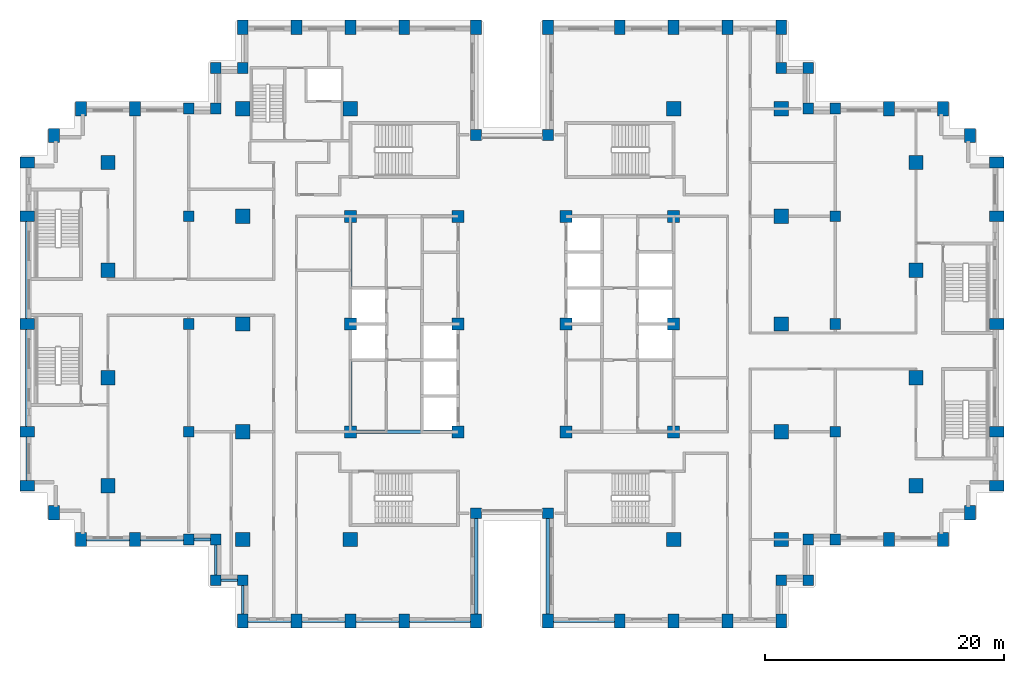
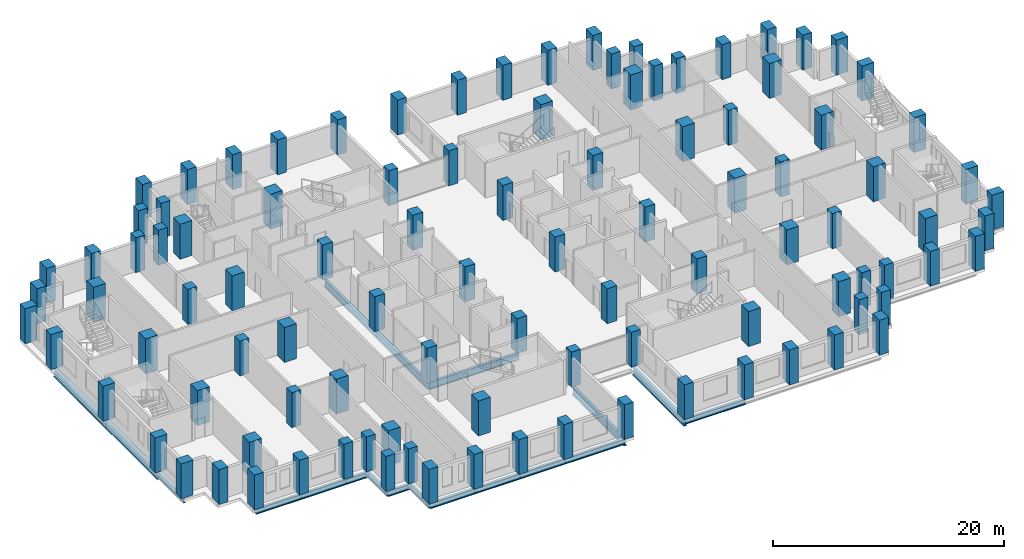
# One storey, part 1 of 15: 102 columns, 19 beams.
"""IFC4 building model written with IfcOpenShell, lengths in metres."""

import ifcopenshell
import ifcopenshell.guid

model = None  # the IFC model being written
_history = None  # IfcOwnerHistory: only IFC2X3 demands one
_inside = {}  # id of a spatial element -> (the spatial element, [elements in it])
_under = {}  # id of a project, library or spatial element -> (it, [spatial elements below it])
_declared = {}  # id of a project -> (the project, [libraries it declares])
_typed = {}  # id of a type object -> (the type object, [elements of that type])
_made_of = {}  # id of a material, layer set ... -> (it, [elements and type objects made of it])


def new_model(schema):
    """Start an empty IFC model of exactly this schema.

    Asked for "IFC4X3", IfcOpenShell would pick the latest addendum, in which some entities
    have other attributes; the version numbers below select the first issue.
    IFC2X3 requires an IfcOwnerHistory on every rooted entity: one is made here for all.
    """
    global model, _history
    if schema == "IFC4X3":
        model = ifcopenshell.file(schema_version=(4, 3, 0, 0))
    else:
        model = ifcopenshell.file(schema=schema)
    _inside.clear()
    _under.clear()
    _declared.clear()
    _typed.clear()
    _made_of.clear()
    _history = None
    if model.schema == "IFC2X3":
        org = make("IfcOrganization", Name="unknown")
        user = make(
            "IfcPersonAndOrganization",
            ThePerson=make("IfcPerson", FamilyName="unknown"),
            TheOrganization=org,
        )
        app = make(
            "IfcApplication",
            ApplicationDeveloper=org,
            Version="unknown",
            ApplicationFullName="unknown",
            ApplicationIdentifier="unknown",
        )
        _history = make(
            "IfcOwnerHistory",
            OwningUser=user,
            OwningApplication=app,
            ChangeAction="ADDED",
            CreationDate=0,
        )
    return model


def make(cls, **values):
    """One entity of the class cls with the attributes given. An attribute that is None is left unset."""
    return model.create_entity(
        cls, **{name: value for name, value in values.items() if value is not None}
    )


def rooted(cls, **values):
    """An entity with a GlobalId (a new one), such as an element, a storey or a relation."""
    return make(cls, GlobalId=ifcopenshell.guid.new(), OwnerHistory=_history, **values)


def si_unit(unit_type, name, prefix=None):
    """IfcSIUnit, for example si_unit("LENGTHUNIT", "METRE", prefix="MILLI")."""
    return make("IfcSIUnit", UnitType=unit_type, Prefix=prefix, Name=name)


def assignment(units):
    """IfcUnitAssignment: the units of a project."""
    return None if units is None else make("IfcUnitAssignment", Units=units)


def point(xyz):
    """IfcCartesianPoint."""
    return None if xyz is None else make("IfcCartesianPoint", Coordinates=xyz)


def direction(xyz):
    """IfcDirection."""
    return None if xyz is None else make("IfcDirection", DirectionRatios=xyz)


def frame(location, z_axis=None, x_axis=None):
    """IfcAxis2Placement3D, a coordinate frame: its origin and axes. An axis left out is left unset."""
    return make(
        "IfcAxis2Placement3D",
        Location=point(location),
        Axis=direction(z_axis),
        RefDirection=direction(x_axis),
    )


def frame_2d(location, x_axis=None):
    """IfcAxis2Placement2D, a coordinate frame in the plane: its origin and x axis."""
    return make(
        "IfcAxis2Placement2D", Location=point(location), RefDirection=direction(x_axis)
    )


def origin():
    """The frame at (0, 0, 0) with its axes left unset."""
    return frame((0.0, 0.0, 0.0))


def origin_2d():
    """The frame at (0, 0) in the plane with its x axis left unset."""
    return frame_2d((0.0, 0.0))


def place(relative_to, where):
    """IfcLocalPlacement: puts the frame where relative to a parent placement (None: the world)."""
    return make(
        "IfcLocalPlacement", PlacementRelTo=relative_to, RelativePlacement=where
    )


def context(
    kind, dimensions, precision=None, world=None, true_north=None, identifier=None
):
    """IfcGeometricRepresentationContext, for example the 3D "Model" context."""
    return make(
        "IfcGeometricRepresentationContext",
        ContextIdentifier=identifier,
        ContextType=kind,
        CoordinateSpaceDimension=dimensions,
        Precision=precision,
        WorldCoordinateSystem=world,
        TrueNorth=true_north,
    )


def subcontext(parent, identifier, kind, view, scale=None):
    """IfcGeometricRepresentationSubContext, for example "Body" below "Model"."""
    return make(
        "IfcGeometricRepresentationSubContext",
        ContextIdentifier=identifier,
        ContextType=kind,
        ParentContext=parent,
        TargetScale=scale,
        TargetView=view,
    )


def project(units=None, contexts=None):
    """IfcProject with its units and contexts."""
    return rooted(
        "IfcProject",
        Name="project",
        RepresentationContexts=contexts,
        UnitsInContext=assignment(units),
    )


def spatial(cls, under=None, at=None, **own):
    """A site, building, storey or space (cls), placed at a placement, below another one or the project."""
    s = rooted(cls, ObjectPlacement=at, **own)
    if under is not None:
        _under.setdefault(under.id(), (under, []))[1].append(s)
    return s


def profile(cls, at=None, kind="AREA", **sizes):
    """A parametric profile (cls). Its sizes go by their IFC names, for example OverallWidth=200.0."""
    return make(cls, ProfileType=kind, Position=at, **sizes)


def rectangle(**sizes):
    """IfcRectangleProfileDef."""
    return profile("IfcRectangleProfileDef", **sizes)


def i_section(**sizes):
    """IfcIShapeProfileDef."""
    return profile("IfcIShapeProfileDef", **sizes)


def extrude(swept, where, along, depth):
    """IfcExtrudedAreaSolid: the profile swept, set in the frame where, extruded along a direction by depth."""
    return make(
        "IfcExtrudedAreaSolid",
        SweptArea=swept,
        Position=where,
        ExtrudedDirection=direction(along),
        Depth=depth,
    )


def shape(context_of_items, identifier, shape_type, items):
    """IfcShapeRepresentation: the items that make up one representation, for example the "Body"."""
    return make(
        "IfcShapeRepresentation",
        ContextOfItems=context_of_items,
        RepresentationIdentifier=identifier,
        RepresentationType=shape_type,
        Items=items,
    )


def material(Name=None, Category=None):
    """IfcMaterial."""
    return make("IfcMaterial", Name=Name, Category=Category)


def material_profile(
    of_material, cross_section, Name=None, Category=None, Priority=None
):
    """IfcMaterialProfile: a cross section and its material."""
    return make(
        "IfcMaterialProfile",
        Name=Name,
        Material=of_material,
        Profile=cross_section,
        Priority=Priority,
        Category=Category,
    )


def profile_set(profiles, Name=None, composite=None):
    """IfcMaterialProfileSet."""
    return make(
        "IfcMaterialProfileSet",
        Name=Name,
        MaterialProfiles=profiles,
        CompositeProfile=composite,
    )


def made_of(thing, what):
    """Note that an element or type object is made of a material, layer set ...; save() writes the relation."""
    if what is not None:
        _made_of.setdefault(what.id(), (what, []))[1].append(thing)
    return thing


def type_object(cls, material=None, **own):
    """A type object (cls), such as IfcWallType, which elements share."""
    return made_of(rooted(cls, **own), material)


def element(
    cls,
    number,
    at=None,
    inside=None,
    cuts=None,
    type_object=None,
    material=None,
    context=None,
    identifier="Body",
    shape_type=None,
    held_by="IfcProductDefinitionShape",
    body=None,
    shapes=None,
    **own,
):
    """One element of the class cls, such as IfcWall. Its Tag is "e" and its number.

    at: its placement. inside: the storey or other place that contains it. cuts: it is an
    opening in that element (IfcRelVoidsElement). A single representation is given by context,
    identifier, shape_type and body (its items); several are given by shapes. held_by: the class
    of the entity that holds the representations. save() writes the other relations.
    """
    e = rooted(cls, Tag="e%d" % number, ObjectPlacement=at, **own)
    if body is not None:
        shapes = [shape(context, identifier, shape_type, body)]
    if shapes is not None:
        e.Representation = make(held_by, Representations=shapes)
    if inside is not None:
        _inside.setdefault(inside.id(), (inside, []))[1].append(e)
    if cuts is not None:
        rooted(
            "IfcRelVoidsElement", RelatingBuildingElement=cuts, RelatedOpeningElement=e
        )
    if type_object is not None:
        _typed.setdefault(type_object.id(), (type_object, []))[1].append(e)
    return made_of(e, material)


def aggregate(whole, parts):
    """IfcRelAggregates: a whole, such as a stair, and the parts it consists of."""
    return rooted("IfcRelAggregates", RelatingObject=whole, RelatedObjects=parts)


def save(model, path):
    """Write the relations noted so far, then the file.

    IfcRelAggregates (storeys below a building ...), IfcRelContainedInSpatialStructure (elements
    in a storey), IfcRelDefinesByType, IfcRelAssociatesMaterial and IfcRelDeclares: one each for
    every whole, place, type object, material and project.
    """
    for whole, parts in _under.values():
        aggregate(whole, parts)
    for where, things in _inside.values():
        rooted(
            "IfcRelContainedInSpatialStructure",
            RelatedElements=things,
            RelatingStructure=where,
        )
    for kind, things in _typed.values():
        rooted("IfcRelDefinesByType", RelatedObjects=things, RelatingType=kind)
    for what, things in _made_of.values():
        rooted("IfcRelAssociatesMaterial", RelatedObjects=things, RelatingMaterial=what)
    for by, libraries in _declared.values():
        rooted("IfcRelDeclares", RelatingContext=by, RelatedDefinitions=libraries)
    model.write(path)


model = new_model("IFC4")

# Units and contexts
model_context = context("Model", 3, precision=1e-05, world=origin(), true_north=direction((0.0, 1.0)))
body_context = subcontext(model_context, "Body", "Model", "MODEL_VIEW")
ifc_project = project(units=[si_unit("LENGTHUNIT", "METRE"), si_unit("AREAUNIT", "SQUARE_METRE"), si_unit("VOLUMEUNIT", "CUBIC_METRE"), si_unit("PLANEANGLEUNIT", "RADIAN"), si_unit("MASSUNIT", "GRAM", prefix="KILO")], contexts=[model_context])

# Site, building, storey
site_placement = place(None, origin())
site = spatial("IfcSite", under=ifc_project, at=site_placement, CompositionType="ELEMENT")
building_placement = place(site_placement, origin())
building = spatial("IfcBuilding", under=site, at=building_placement, Name="Corbelhall Arena Tower", CompositionType="ELEMENT")
storey_placement = place(building_placement, frame((0.0, 0.0, 92.0)))
storey = spatial("IfcBuildingStorey", under=building, at=storey_placement, Name="L15", CompositionType="ELEMENT", Elevation=92.0)

# Columns
ifc_material_1 = material(Name="Concrete C80/95", Category="concrete")
ifc_material_profile_1 = material_profile(ifc_material_1, rectangle(XDim=1.0, YDim=1.0, at=origin_2d()))
ifc_profile_set_1 = profile_set([ifc_material_profile_1], Name="Concrete C80/95")
column_type_1 = type_object("IfcColumnType", Name="ST-COL-RC 1000x1000", PredefinedType="COLUMN", material=ifc_profile_set_1)
for number, where, z_axis, x_axis, name in (
    (1, (4.5, 0.0, 0.0), (0.0, 0.0, 1.0), (1.0, 0.0, 0.0), "Column KE+0450+0000"),
    (2, (4.5, 9.0, 0.0), (0.0, 0.0, 1.0), (1.0, 0.0, 0.0), "Column KE+0450+0900"),
    (3, (4.5, -9.0, 0.0), (0.0, 0.0, 1.0), (1.0, 0.0, 0.0), "Column KE+0450-0900"),
    (4, (13.5, 0.0, 0.0), (0.0, 0.0, 1.0), (1.0, 0.0, 0.0), "Column KE+1350+0000"),
    (5, (13.5, 9.0, 0.0), (0.0, 0.0, 1.0), (1.0, 0.0, 0.0), "Column KE+1350+0900"),
    (6, (13.5, -9.0, 0.0), (0.0, 0.0, 1.0), (1.0, 0.0, 0.0), "Column KE+1350-0900"),
    (7, (-4.5, 0.0, 0.0), (0.0, 0.0, 1.0), (1.0, 0.0, 0.0), "Column KW-0450+0000"),
    (8, (-4.5, 9.0, 0.0), (0.0, 0.0, 1.0), (1.0, 0.0, 0.0), "Column KW-0450+0900"),
    (9, (-4.5, -9.0, 0.0), (0.0, 0.0, 1.0), (1.0, 0.0, 0.0), "Column KW-0450-0900"),
    (10, (-13.5, 0.0, 0.0), (0.0, 0.0, 1.0), (1.0, 0.0, 0.0), "Column KW-1350+0000"),
    (11, (-13.5, 9.0, 0.0), (0.0, 0.0, 1.0), (1.0, 0.0, 0.0), "Column KW-1350+0900"),
    (12, (-13.5, -9.0, 0.0), (0.0, 0.0, 1.0), (1.0, 0.0, 0.0), "Column KW-1350-0900"),
):
    element("IfcColumn", number, at=place(storey_placement, frame(where, z_axis=z_axis, x_axis=x_axis)), inside=storey, type_object=column_type_1, Name=name, PredefinedType="COLUMN", context=body_context, shape_type="SweptSolid", body=[
        extrude(rectangle(XDim=1.0, YDim=1.0, at=origin_2d()), origin(), (0.0, 0.0, 1.0), 3.699951171875),
    ])
ifc_material_profile_2 = material_profile(ifc_material_1, rectangle(XDim=1.199951171875, YDim=1.199951171875, at=origin_2d()))
ifc_profile_set_2 = profile_set([ifc_material_profile_2], Name="Concrete C80/95")
column_type_2 = type_object("IfcColumnType", Name="ST-COL-RC 1200x1200", PredefinedType="COLUMN", material=ifc_profile_set_2)
for number, where, z_axis, x_axis, name in (
    (13, (-33.75, 4.5, 0.0), (0.0, 0.0, 1.0), (1.0, 0.0, 0.0), "Column FIC+0450"),
    (14, (-33.75, 13.5, 0.0), (0.0, 0.0, 1.0), (1.0, 0.0, 0.0), "Column FIC+1350"),
    (15, (-33.75, -4.5, 0.0), (0.0, 0.0, 1.0), (1.0, 0.0, 0.0), "Column FIC-0450"),
    (16, (-33.75, -13.5, 0.0), (0.0, 0.0, 1.0), (1.0, 0.0, 0.0), "Column FIC-1350"),
    (17, (33.75, 4.5, 0.0), (0.0, 0.0, 1.0), (1.0, 0.0, 0.0), "Column FID+0450"),
    (18, (33.75, 13.5, 0.0), (0.0, 0.0, 1.0), (1.0, 0.0, 0.0), "Column FID+1350"),
    (19, (33.75, -4.5, 0.0), (0.0, 0.0, 1.0), (1.0, 0.0, 0.0), "Column FID-0450"),
    (20, (33.75, -13.5, 0.0), (0.0, 0.0, 1.0), (1.0, 0.0, 0.0), "Column FID-1350"),
    (21, (13.5, 18.0, 0.0), (0.0, 0.0, 1.0), (1.0, 0.0, 0.0), "Column IE13+1800"),
    (22, (13.5, -18.0, 0.0), (0.0, 0.0, 1.0), (1.0, 0.0, 0.0), "Column IE13-1800"),
    (23, (22.5, 0.0, 0.0), (0.0, 0.0, 1.0), (1.0, 0.0, 0.0), "Column IE22+0000"),
    (24, (22.5, 9.0, 0.0), (0.0, 0.0, 1.0), (1.0, 0.0, 0.0), "Column IE22+0900"),
    (25, (22.5, 18.0, 0.0), (0.0, 0.0, 1.0), (1.0, 0.0, 0.0), "Column IE22+1800"),
    (26, (22.5, -9.0, 0.0), (0.0, 0.0, 1.0), (1.0, 0.0, 0.0), "Column IE22-0900"),
    (27, (22.5, -18.0, 0.0), (0.0, 0.0, 1.0), (1.0, 0.0, 0.0), "Column IE22-1800"),
    (28, (-13.5, 18.0, 0.0), (0.0, 0.0, 1.0), (1.0, 0.0, 0.0), "Column IW13+1800"),
    (29, (-13.5, -18.0, 0.0), (0.0, 0.0, 1.0), (1.0, 0.0, 0.0), "Column IW13-1800"),
    (30, (-22.5, 0.0, 0.0), (0.0, 0.0, 1.0), (1.0, 0.0, 0.0), "Column IW22+0000"),
    (31, (-22.5, 9.0, 0.0), (0.0, 0.0, 1.0), (1.0, 0.0, 0.0), "Column IW22+0900"),
    (32, (-22.5, 18.0, 0.0), (0.0, 0.0, 1.0), (1.0, 0.0, 0.0), "Column IW22+1800"),
    (33, (-22.5, -9.0, 0.0), (0.0, 0.0, 1.0), (1.0, 0.0, 0.0), "Column IW22-0900"),
    (34, (-22.5, -18.0, 0.0), (0.0, 0.0, 1.0), (1.0, 0.0, 0.0), "Column IW22-1800"),
):
    element("IfcColumn", number, at=place(storey_placement, frame(where, z_axis=z_axis, x_axis=x_axis)), inside=storey, type_object=column_type_2, Name=name, PredefinedType="COLUMN", context=body_context, shape_type="SweptSolid", body=[
        extrude(rectangle(XDim=1.199951171875, YDim=1.199951171875, at=origin_2d()), origin(), (0.0, 0.0, 1.0), 3.699951171875),
    ])
ifc_material_profile_3 = material_profile(ifc_material_1, rectangle(XDim=0.89990234375, YDim=1.199951171875, at=origin_2d()))
ifc_profile_set_3 = profile_set([ifc_material_profile_3], Name="Concrete C80/95")
column_type_3 = type_object("IfcColumnType", Name="ST-COL-RC 900x1200", PredefinedType="COLUMN", material=ifc_profile_set_3)
for number, where, z_axis, x_axis, name in (
    (35, (-40.5, 0.0, 0.0), (0.0, 0.0, 1.0), (0.0, 1.0, 0.0), "Column FC+0000"),
    (36, (-40.5, 9.0, 0.0), (0.0, 0.0, 1.0), (0.0, 1.0, 0.0), "Column FC+0900"),
    (37, (-40.5, 13.5, 0.0), (0.0, 0.0, 1.0), (0.0, 1.0, 0.0), "Column FC+1350"),
    (38, (-40.5, -9.0, 0.0), (0.0, 0.0, 1.0), (0.0, 1.0, 0.0), "Column FC-0900"),
    (39, (-40.5, -13.5, 0.0), (0.0, 0.0, 1.0), (0.0, 1.0, 0.0), "Column FC-1350"),
    (40, (-38.25, 15.75, 0.0), (0.0, 0.0, 1.0), (1.0, 0.0, 0.0), "Column FCCN"),
    (41, (-38.25, -15.75, 0.0), (0.0, 0.0, 1.0), (1.0, 0.0, 0.0), "Column FCCS"),
    (42, (-31.5, 18.0, 0.0), (0.0, 0.0, 1.0), (1.0, 0.0, 0.0), "Column FCN3150"),
    (43, (-36.0, 18.0, 0.0), (0.0, 0.0, 1.0), (1.0, 0.0, 0.0), "Column FCN3600"),
    (44, (-31.5, -18.0, 0.0), (0.0, 0.0, 1.0), (1.0, 0.0, 0.0), "Column FCS3150"),
    (45, (-36.0, -18.0, 0.0), (0.0, 0.0, 1.0), (1.0, 0.0, 0.0), "Column FCS3600"),
    (46, (40.5, 0.0, 0.0), (0.0, 0.0, 1.0), (0.0, 1.0, 0.0), "Column FD+0000"),
    (47, (40.5, 9.0, 0.0), (0.0, 0.0, 1.0), (0.0, 1.0, 0.0), "Column FD+0900"),
    (48, (40.5, 13.5, 0.0), (0.0, 0.0, 1.0), (0.0, 1.0, 0.0), "Column FD+1350"),
    (49, (40.5, -9.0, 0.0), (0.0, 0.0, 1.0), (0.0, 1.0, 0.0), "Column FD-0900"),
    (50, (40.5, -13.5, 0.0), (0.0, 0.0, 1.0), (0.0, 1.0, 0.0), "Column FD-1350"),
    (51, (38.25, 15.75, 0.0), (0.0, 0.0, 1.0), (1.0, 0.0, 0.0), "Column FDCN"),
    (52, (38.25, -15.75, 0.0), (0.0, 0.0, 1.0), (1.0, 0.0, 0.0), "Column FDCS"),
    (53, (31.5, 18.0, 0.0), (0.0, 0.0, 1.0), (1.0, 0.0, 0.0), "Column FDN3150"),
    (54, (36.0, 18.0, 0.0), (0.0, 0.0, 1.0), (1.0, 0.0, 0.0), "Column FDN3600"),
    (55, (31.5, -18.0, 0.0), (0.0, 0.0, 1.0), (1.0, 0.0, 0.0), "Column FDS3150"),
    (56, (36.0, -18.0, 0.0), (0.0, 0.0, 1.0), (1.0, 0.0, 0.0), "Column FDS3600"),
    (57, (3.0, 24.800048828125, 0.0), (0.0, 0.0, 1.0), (1.0, 0.0, 0.0), "Column PNE0300"),
    (58, (9.0, 24.800048828125, 0.0), (0.0, 0.0, 1.0), (1.0, 0.0, 0.0), "Column PNE0900"),
    (59, (13.5, 24.800048828125, 0.0), (0.0, 0.0, 1.0), (1.0, 0.0, 0.0), "Column PNE1350"),
    (60, (18.0, 24.800048828125, 0.0), (0.0, 0.0, 1.0), (1.0, 0.0, 0.0), "Column PNE1800"),
    (61, (22.5, 24.800048828125, 0.0), (0.0, 0.0, 1.0), (1.0, 0.0, 0.0), "Column PNE2250"),
    (62, (-3.0, 24.800048828125, 0.0), (0.0, 0.0, 1.0), (1.0, 0.0, 0.0), "Column PNW0300"),
    (63, (-9.0, 24.800048828125, 0.0), (0.0, 0.0, 1.0), (1.0, 0.0, 0.0), "Column PNW0900"),
    (64, (-13.5, 24.800048828125, 0.0), (0.0, 0.0, 1.0), (1.0, 0.0, 0.0), "Column PNW1350"),
    (65, (-18.0, 24.800048828125, 0.0), (0.0, 0.0, 1.0), (1.0, 0.0, 0.0), "Column PNW1800"),
    (66, (-22.5, 24.800048828125, 0.0), (0.0, 0.0, 1.0), (1.0, 0.0, 0.0), "Column PNW2250"),
    (67, (3.0, -24.800048828125, 0.0), (0.0, 0.0, 1.0), (1.0, 0.0, 0.0), "Column PSE0300"),
    (68, (9.0, -24.800048828125, 0.0), (0.0, 0.0, 1.0), (1.0, 0.0, 0.0), "Column PSE0900"),
    (69, (13.5, -24.800048828125, 0.0), (0.0, 0.0, 1.0), (1.0, 0.0, 0.0), "Column PSE1350"),
    (70, (18.0, -24.800048828125, 0.0), (0.0, 0.0, 1.0), (1.0, 0.0, 0.0), "Column PSE1800"),
    (71, (22.5, -24.800048828125, 0.0), (0.0, 0.0, 1.0), (1.0, 0.0, 0.0), "Column PSE2250"),
    (72, (-3.0, -24.800048828125, 0.0), (0.0, 0.0, 1.0), (1.0, 0.0, 0.0), "Column PSW0300"),
    (73, (-9.0, -24.800048828125, 0.0), (0.0, 0.0, 1.0), (1.0, 0.0, 0.0), "Column PSW0900"),
    (74, (-13.5, -24.800048828125, 0.0), (0.0, 0.0, 1.0), (1.0, 0.0, 0.0), "Column PSW1350"),
    (75, (-18.0, -24.800048828125, 0.0), (0.0, 0.0, 1.0), (1.0, 0.0, 0.0), "Column PSW1800"),
    (76, (-22.5, -24.800048828125, 0.0), (0.0, 0.0, 1.0), (1.0, 0.0, 0.0), "Column PSW2250"),
):
    element("IfcColumn", number, at=place(storey_placement, frame(where, z_axis=z_axis, x_axis=x_axis)), inside=storey, type_object=column_type_3, Name=name, PredefinedType="COLUMN", context=body_context, shape_type="SweptSolid", body=[
        extrude(rectangle(XDim=0.89990234375, YDim=1.199951171875, at=origin_2d()), origin(), (0.0, 0.0, 1.0), 3.699951171875),
    ])
ifc_material_profile_4 = material_profile(ifc_material_1, rectangle(XDim=0.89990234375, YDim=0.89990234375, at=origin_2d()))
ifc_profile_set_4 = profile_set([ifc_material_profile_4], Name="Concrete C80/95")
column_type_4 = type_object("IfcColumnType", Name="ST-COL-RC 900x900", PredefinedType="COLUMN", material=ifc_profile_set_4)
for number, where, z_axis, x_axis, name in (
    (77, (27.0, 0.0, 0.0), (0.0, 0.0, 1.0), (1.0, 0.0, 0.0), "Column PE+0000"),
    (78, (27.0, 9.0, 0.0), (0.0, 0.0, 1.0), (1.0, 0.0, 0.0), "Column PE+0900"),
    (79, (27.0, 18.0, 0.0), (0.0, 0.0, 1.0), (1.0, 0.0, 0.0), "Column PE+1800"),
    (80, (27.0, -9.0, 0.0), (0.0, 0.0, 1.0), (1.0, 0.0, 0.0), "Column PE-0900"),
    (81, (27.0, -18.0, 0.0), (0.0, 0.0, 1.0), (1.0, 0.0, 0.0), "Column PE-1800"),
    (82, (-27.0, 0.0, 0.0), (0.0, 0.0, 1.0), (1.0, 0.0, 0.0), "Column PW+0000"),
    (83, (-27.0, 9.0, 0.0), (0.0, 0.0, 1.0), (1.0, 0.0, 0.0), "Column PW+0900"),
    (84, (-27.0, 18.0, 0.0), (0.0, 0.0, 1.0), (1.0, 0.0, 0.0), "Column PW+1800"),
    (85, (-27.0, -9.0, 0.0), (0.0, 0.0, 1.0), (1.0, 0.0, 0.0), "Column PW-0900"),
    (86, (-27.0, -18.0, 0.0), (0.0, 0.0, 1.0), (1.0, 0.0, 0.0), "Column PW-1800"),
    (87, (3.0, 15.800048828125, 0.0), (0.0, 0.0, 1.0), (1.0, 0.0, 0.0), "Column SLNE2"),
    (88, (-3.0, 15.800048828125, 0.0), (0.0, 0.0, 1.0), (1.0, 0.0, 0.0), "Column SLNW2"),
    (89, (3.0, -15.800048828125, 0.0), (0.0, 0.0, 1.0), (1.0, 0.0, 0.0), "Column SLSE2"),
    (90, (-3.0, -15.800048828125, 0.0), (0.0, 0.0, 1.0), (1.0, 0.0, 0.0), "Column SLSW2"),
    (91, (22.5, 21.39990234375, 0.0), (0.0, 0.0, 1.0), (1.0, 0.0, 0.0), "Column XNE1"),
    (92, (24.75, 21.39990234375, 0.0), (0.0, 0.0, 1.0), (1.0, 0.0, 0.0), "Column XNE2"),
    (93, (24.75, 18.0, 0.0), (0.0, 0.0, 1.0), (1.0, 0.0, 0.0), "Column XNE3"),
    (94, (-22.5, 21.39990234375, 0.0), (0.0, 0.0, 1.0), (1.0, 0.0, 0.0), "Column XNW1"),
    (95, (-24.75, 21.39990234375, 0.0), (0.0, 0.0, 1.0), (1.0, 0.0, 0.0), "Column XNW2"),
    (96, (-24.75, 18.0, 0.0), (0.0, 0.0, 1.0), (1.0, 0.0, 0.0), "Column XNW3"),
    (97, (22.5, -21.39990234375, 0.0), (0.0, 0.0, 1.0), (1.0, 0.0, 0.0), "Column XSE1"),
    (98, (24.75, -21.39990234375, 0.0), (0.0, 0.0, 1.0), (1.0, 0.0, 0.0), "Column XSE2"),
    (99, (24.75, -18.0, 0.0), (0.0, 0.0, 1.0), (1.0, 0.0, 0.0), "Column XSE3"),
    (100, (-22.5, -21.39990234375, 0.0), (0.0, 0.0, 1.0), (1.0, 0.0, 0.0), "Column XSW1"),
    (101, (-24.75, -21.39990234375, 0.0), (0.0, 0.0, 1.0), (1.0, 0.0, 0.0), "Column XSW2"),
    (102, (-24.75, -18.0, 0.0), (0.0, 0.0, 1.0), (1.0, 0.0, 0.0), "Column XSW3"),
):
    element("IfcColumn", number, at=place(storey_placement, frame(where, z_axis=z_axis, x_axis=x_axis)), inside=storey, type_object=column_type_4, Name=name, PredefinedType="COLUMN", context=body_context, shape_type="SweptSolid", body=[
        extrude(rectangle(XDim=0.89990234375, YDim=0.89990234375, at=origin_2d()), origin(), (0.0, 0.0, 1.0), 3.699951171875),
    ])

# Beams
ifc_material_2 = material(Name="Steel ASTM A992 Gr50", Category="steel")
ifc_material_profile_5 = material_profile(ifc_material_2, i_section(OverallWidth=0.2666015625, OverallDepth=0.761962890625, WebThickness=0.014404296875, FlangeThickness=0.021484375, at=origin_2d()))
ifc_profile_set_5 = profile_set([ifc_material_profile_5], Name="Steel ASTM A992 Gr50")
beam_type_1 = type_object("IfcBeamType", Name="ST-BEAM-W30x116", PredefinedType="BEAM", material=ifc_profile_set_5)
for number, where, z_axis, x_axis, name in (
    (103, (-13.5, -9.0, -0.680908203125), (0.0, 1.0, 0.0), (-1.0, 0.0, 0.0), "Beam CEW 1"),
    (104, (-13.5, 0.0, -0.680908203125), (0.0, 1.0, 0.0), (-1.0, 0.0, 0.0), "Beam CEW 2"),
    (105, (-13.5, -9.0, -0.680908203125), (1.0, 0.0, 0.0), (0.0, 1.0, 0.0), "Beam CEW 5"),
):
    element("IfcBeam", number, at=place(storey_placement, frame(where, z_axis=z_axis, x_axis=x_axis)), inside=storey, type_object=beam_type_1, Name=name, PredefinedType="BEAM", context=body_context, shape_type="SweptSolid", body=[
        extrude(i_section(OverallWidth=0.2666015625, OverallDepth=0.761962890625, WebThickness=0.014404296875, FlangeThickness=0.021484375, at=origin_2d()), origin(), (0.0, 0.0, 1.0), 9.0),
    ])
ifc_material_profile_6 = material_profile(ifc_material_2, i_section(OverallWidth=0.23046875, OverallDepth=0.6171875, WebThickness=0.01318359375, FlangeThickness=0.022216796875, at=origin_2d()))
ifc_profile_set_6 = profile_set([ifc_material_profile_6], Name="Steel ASTM A992 Gr50")
beam_type_2 = type_object("IfcBeamType", Name="ST-SPANDREL-W24x94", PredefinedType="SPANDREL", material=ifc_profile_set_6)
for number, where, z_axis, x_axis, name in (
    (106, (-40.5, -13.5, -0.608642578125), (0.0, 1.0, 0.0), (-1.0, 0.0, 0.0), "Beam SP 4"),
    (107, (-31.5, -18.0, -0.608642578125), (-1.0, 0.0, 0.0), (0.0, -1.0, 0.0), "Beam SP 7"),
):
    element("IfcBeam", number, at=place(storey_placement, frame(where, z_axis=z_axis, x_axis=x_axis)), inside=storey, type_object=beam_type_2, Name=name, PredefinedType="SPANDREL", context=body_context, shape_type="SweptSolid", body=[
        extrude(i_section(OverallWidth=0.23046875, OverallDepth=0.6171875, WebThickness=0.01318359375, FlangeThickness=0.022216796875, at=origin_2d()), origin(), (0.0, 0.0, 1.0), 4.5),
    ])
for number, where, z_axis, x_axis, name in (
    (108, (9.0, -24.800048828125, -0.608642578125), (-1.0, 0.0, 0.0), (0.0, -1.0, 0.0), "Beam SP 28"),
    (109, (-3.0, -24.800048828125, -0.608642578125), (-1.0, 0.0, 0.0), (0.0, -1.0, 0.0), "Beam SP 32"),
):
    element("IfcBeam", number, at=place(storey_placement, frame(where, z_axis=z_axis, x_axis=x_axis)), inside=storey, type_object=beam_type_2, Name=name, PredefinedType="SPANDREL", context=body_context, shape_type="SweptSolid", body=[
        extrude(i_section(OverallWidth=0.23046875, OverallDepth=0.6171875, WebThickness=0.01318359375, FlangeThickness=0.022216796875, at=origin_2d()), origin(), (0.0, 0.0, 1.0), 6.0),
    ])
for number, where, z_axis, x_axis, name in (
    (110, (-9.0, -24.800048828125, -0.608642578125), (-1.0, 0.0, 0.0), (0.0, -1.0, 0.0), "Beam SP 33"),
    (111, (-13.5, -24.800048828125, -0.608642578125), (-1.0, 0.0, 0.0), (0.0, -1.0, 0.0), "Beam SP 34"),
    (112, (-18.0, -24.800048828125, -0.608642578125), (-1.0, 0.0, 0.0), (0.0, -1.0, 0.0), "Beam SP 35"),
):
    element("IfcBeam", number, at=place(storey_placement, frame(where, z_axis=z_axis, x_axis=x_axis)), inside=storey, type_object=beam_type_2, Name=name, PredefinedType="SPANDREL", context=body_context, shape_type="SweptSolid", body=[
        extrude(i_section(OverallWidth=0.23046875, OverallDepth=0.6171875, WebThickness=0.01318359375, FlangeThickness=0.022216796875, at=origin_2d()), origin(), (0.0, 0.0, 1.0), 4.5),
    ])
beam_1_placement = place(storey_placement, frame((-22.5, -24.800048828125, -0.608642578125), z_axis=(0.0, 1.0, 0.0), x_axis=(-1.0, 0.0, 0.0)))
element("IfcBeam", 113, at=beam_1_placement, inside=storey, type_object=beam_type_2, Name="Beam SP 36", PredefinedType="SPANDREL", context=body_context, shape_type="SweptSolid", body=[
    extrude(i_section(OverallWidth=0.23046875, OverallDepth=0.6171875, WebThickness=0.01318359375, FlangeThickness=0.022216796875, at=origin_2d()), origin(), (0.0, 0.0, 1.0), 3.400146484375),
])
beam_2_placement = place(storey_placement, frame((-27.0, -18.0, -0.608642578125), z_axis=(-1.0, 0.0, 0.0), x_axis=(0.0, -1.0, 0.0)))
element("IfcBeam", 114, at=beam_2_placement, inside=storey, type_object=beam_type_2, Name="Beam SP 38", PredefinedType="SPANDREL", context=body_context, shape_type="SweptSolid", body=[
    extrude(i_section(OverallWidth=0.23046875, OverallDepth=0.6171875, WebThickness=0.01318359375, FlangeThickness=0.022216796875, at=origin_2d()), origin(), (0.0, 0.0, 1.0), 4.5),
])
beam_3_placement = place(storey_placement, frame((-22.5, -21.39990234375, -0.608642578125), z_axis=(-1.0, 0.0, 0.0), x_axis=(0.0, -1.0, 0.0)))
element("IfcBeam", 115, at=beam_3_placement, inside=storey, type_object=beam_type_2, Name="Beam SP 52", PredefinedType="SPANDREL", context=body_context, shape_type="SweptSolid", body=[
    extrude(i_section(OverallWidth=0.23046875, OverallDepth=0.6171875, WebThickness=0.01318359375, FlangeThickness=0.022216796875, at=origin_2d()), origin(), (0.0, 0.0, 1.0), 2.25),
])
beam_4_placement = place(storey_placement, frame((-24.75, -21.39990234375, -0.608642578125), z_axis=(0.0, 1.0, 0.0), x_axis=(-1.0, 0.0, 0.0)))
element("IfcBeam", 116, at=beam_4_placement, inside=storey, type_object=beam_type_2, Name="Beam SP 53", PredefinedType="SPANDREL", context=body_context, shape_type="SweptSolid", body=[
    extrude(i_section(OverallWidth=0.23046875, OverallDepth=0.6171875, WebThickness=0.01318359375, FlangeThickness=0.022216796875, at=origin_2d()), origin(), (0.0, 0.0, 1.0), 3.39990234375),
])
beam_5_placement = place(storey_placement, frame((-24.75, -18.0, -0.608642578125), z_axis=(-1.0, 0.0, 0.0), x_axis=(0.0, -1.0, 0.0)))
element("IfcBeam", 117, at=beam_5_placement, inside=storey, type_object=beam_type_2, Name="Beam SP 54", PredefinedType="SPANDREL", context=body_context, shape_type="SweptSolid", body=[
    extrude(i_section(OverallWidth=0.23046875, OverallDepth=0.6171875, WebThickness=0.01318359375, FlangeThickness=0.022216796875, at=origin_2d()), origin(), (0.0, 0.0, 1.0), 2.25),
])
ifc_material_profile_7 = material_profile(ifc_material_2, i_section(OverallWidth=0.2919921875, OverallDepth=0.845703125, WebThickness=0.015380859375, FlangeThickness=0.0244140625, at=origin_2d()))
ifc_profile_set_7 = profile_set([ifc_material_profile_7], Name="Steel ASTM A992 Gr50")
beam_type_3 = type_object("IfcBeamType", Name="ST-SPANDREL-W33x141", PredefinedType="SPANDREL", material=ifc_profile_set_7)
for number, where, z_axis, x_axis, name in (
    (118, (-40.5, 0.0, -0.722900390625), (0.0, 1.0, 0.0), (-1.0, 0.0, 0.0), "Beam SP 1"),
    (119, (-40.5, -9.0, -0.722900390625), (0.0, 1.0, 0.0), (-1.0, 0.0, 0.0), "Beam SP 3"),
    (120, (3.0, -24.800048828125, -0.722900390625), (0.0, 1.0, 0.0), (-1.0, 0.0, 0.0), "Beam SP 27"),
    (121, (-3.0, -15.800048828125, -0.722900390625), (0.0, -1.0, 0.0), (1.0, 0.0, 0.0), "Beam SP 42"),
):
    element("IfcBeam", number, at=place(storey_placement, frame(where, z_axis=z_axis, x_axis=x_axis)), inside=storey, type_object=beam_type_3, Name=name, PredefinedType="SPANDREL", context=body_context, shape_type="SweptSolid", body=[
        extrude(i_section(OverallWidth=0.2919921875, OverallDepth=0.845703125, WebThickness=0.015380859375, FlangeThickness=0.0244140625, at=origin_2d()), origin(), (0.0, 0.0, 1.0), 9.0),
    ])

save(model, "model.ifc")
